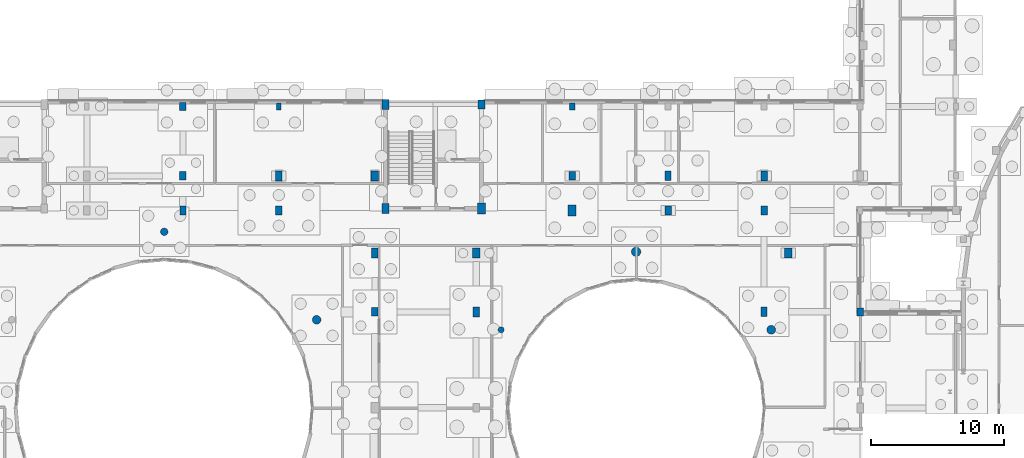
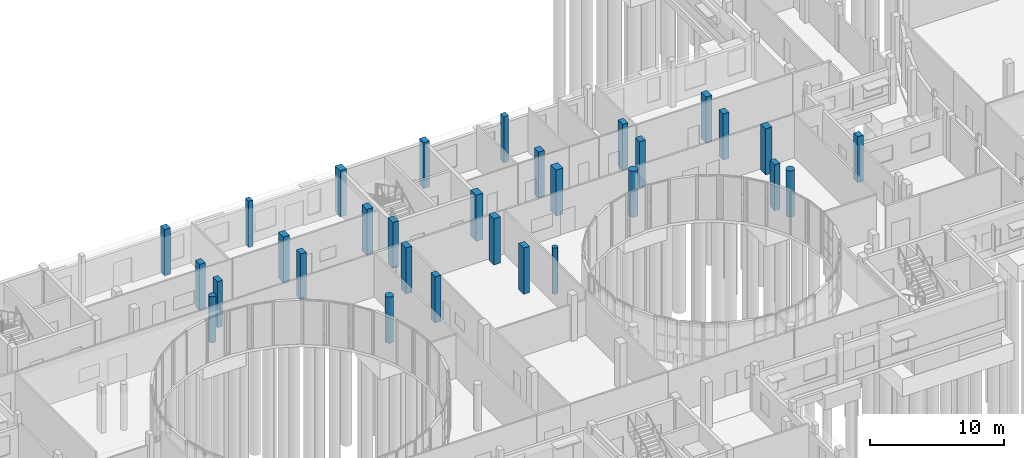
# One storey, part 20 of 93: 30 columns.
"""IFC4 building model written with IfcOpenShell, lengths in metres."""

from ifc_helpers import new_model, si_unit, direction, frame, origin, origin_2d, place, context, subcontext, project, spatial, rectangle, circle, extrude, material, material_profile, profile_set, type_object, element, save


model = new_model("IFC4")

# Units and contexts
model_context = context("Model", 3, precision=1e-05, world=origin(), true_north=direction((0.0, 1.0)))
body_context = subcontext(model_context, "Body", "Model", "MODEL_VIEW")
ifc_project = project(units=[si_unit("LENGTHUNIT", "METRE"), si_unit("AREAUNIT", "SQUARE_METRE"), si_unit("VOLUMEUNIT", "CUBIC_METRE"), si_unit("PLANEANGLEUNIT", "RADIAN"), si_unit("MASSUNIT", "GRAM", prefix="KILO")], contexts=[model_context])

# Site, building, storey
site_placement = place(None, origin())
site = spatial("IfcSite", under=ifc_project, at=site_placement, CompositionType="ELEMENT")
building_placement = place(site_placement, origin())
building = spatial("IfcBuilding", under=site, at=building_placement, Name="Kelanivale Promenade Academy", CompositionType="ELEMENT")
storey_placement = place(building_placement, origin())
storey = spatial("IfcBuildingStorey", under=building, at=storey_placement, Name="L00", CompositionType="ELEMENT", Elevation=0.0)

# Columns
ifc_material = material(Name="Concrete C40/50", Category="concrete")
ifc_material_profile_1 = material_profile(ifc_material, rectangle(XDim=0.449951171875, YDim=0.699951171875, at=origin_2d()), Name="RC-COL 450x700")
ifc_profile_set_1 = profile_set([ifc_material_profile_1], Name="Concrete C40/50")
column_type_1 = type_object("IfcColumnType", Name="C-10 RC-COL 450x700", PredefinedType="COLUMN", material=ifc_profile_set_1)
for number, where, z_axis, x_axis, name in (
    (1, (64.800048828125, 71.60009765625, 0.0), (0.0, 0.0, 1.0), (1.0, 0.0, 0.0), "Column C-10 at (64.8, 71.6) L00"),
    (2, (101.199951171875, 74.199951171875, 0.0), (0.0, 0.0, 1.0), (1.0, 0.0, 0.0), "Column C-10 at (101.2, 74.2) L00"),
    (3, (108.39990234375, 64.0, 0.0), (0.0, 0.0, 1.0), (1.0, 0.0, 0.0), "Column C-10 at (108.4, 64.0) L00"),
):
    element("IfcColumn", number, at=place(storey_placement, frame(where, z_axis=z_axis, x_axis=x_axis)), inside=storey, type_object=column_type_1, Name=name, PredefinedType="COLUMN", context=body_context, shape_type="SweptSolid", body=[
        extrude(rectangle(XDim=0.449951171875, YDim=0.699951171875, at=origin_2d()), origin(), (0.0, 0.0, 1.0), 4.199951171875),
    ])
ifc_material_profile_2 = material_profile(ifc_material, rectangle(XDim=0.5, YDim=0.64990234375, at=origin_2d()), Name="RC-COL 500x650")
ifc_profile_set_2 = profile_set([ifc_material_profile_2], Name="Concrete C40/50")
column_type_2 = type_object("IfcColumnType", Name="C-11 RC-COL 500x650", PredefinedType="COLUMN", material=ifc_profile_set_2)
for number, where, z_axis, x_axis, name in (
    (4, (64.800048828125, 74.199951171875, 0.0), (0.0, 0.0, 1.0), (1.0, 0.0, 0.0), "Column C-11 at (64.8, 74.2) L00"),
    (5, (72.0, 71.60009765625, 0.0), (0.0, 0.0, 1.0), (1.0, 0.0, 0.0), "Column C-11 at (72.0, 71.6) L00"),
    (6, (79.199951171875, 64.0, 0.0), (0.0, 0.0, 1.0), (1.0, 0.0, 0.0), "Column C-11 at (79.2, 64.0) L00"),
    (7, (87.199951171875, 79.550048828125, 0.0), (0.0, 0.0, 1.0), (1.0, 0.0, 0.0), "Column C-11 at (87.2, 79.5) L00"),
    (8, (94.0, 74.199951171875, 0.0), (0.0, 0.0, 1.0), (1.0, 0.0, 0.0), "Column C-11 at (94.0, 74.2) L00"),
    (9, (101.199951171875, 71.60009765625, 0.0), (0.0, 0.0, 1.0), (1.0, 0.0, 0.0), "Column C-11 at (101.2, 71.6) L00"),
    (10, (108.39990234375, 71.60009765625, 0.0), (0.0, 0.0, 1.0), (1.0, 0.0, 0.0), "Column C-11 at (108.4, 71.6) L00"),
):
    element("IfcColumn", number, at=place(storey_placement, frame(where, z_axis=z_axis, x_axis=x_axis)), inside=storey, type_object=column_type_2, Name=name, PredefinedType="COLUMN", context=body_context, shape_type="SweptSolid", body=[
        extrude(rectangle(XDim=0.5, YDim=0.64990234375, at=origin_2d()), origin(), (0.0, 0.0, 1.0), 4.199951171875),
    ])
ifc_material_profile_3 = material_profile(ifc_material, rectangle(XDim=0.5, YDim=0.75, at=origin_2d()), Name="RC-COL 500x750")
ifc_profile_set_3 = profile_set([ifc_material_profile_3], Name="Concrete C40/50")
column_type_3 = type_object("IfcColumnType", Name="C-12 RC-COL 500x750", PredefinedType="COLUMN", material=ifc_profile_set_3)
for number, where, z_axis, x_axis, name in (
    (11, (72.0, 74.199951171875, 0.0), (0.0, 0.0, 1.0), (1.0, 0.0, 0.0), "Column C-12 at (72.0, 74.2) L00"),
    (12, (79.199951171875, 68.39990234375, 0.0), (0.0, 0.0, 1.0), (1.0, 0.0, 0.0), "Column C-12 at (79.2, 68.4) L00"),
    (13, (80.0, 71.75, 0.0), (0.0, 0.0, 1.0), (1.0, 0.0, 0.0), "Column C-12 at (80.0, 71.8) L00"),
    (14, (86.800048828125, 64.0, 0.0), (0.0, 0.0, 1.0), (1.0, 0.0, 0.0), "Column C-12 at (86.8, 64.0) L00"),
    (15, (108.39990234375, 74.199951171875, 0.0), (0.0, 0.0, 1.0), (1.0, 0.0, 0.0), "Column C-12 at (108.4, 74.2) L00"),
):
    element("IfcColumn", number, at=place(storey_placement, frame(where, z_axis=z_axis, x_axis=x_axis)), inside=storey, type_object=column_type_3, Name=name, PredefinedType="COLUMN", context=body_context, shape_type="SweptSolid", body=[
        extrude(rectangle(XDim=0.5, YDim=0.75, at=origin_2d()), origin(), (0.0, 0.0, 1.0), 4.199951171875),
    ])
ifc_material_profile_4 = material_profile(ifc_material, rectangle(XDim=0.550048828125, YDim=0.75, at=origin_2d()), Name="RC-COL 550x750")
ifc_profile_set_4 = profile_set([ifc_material_profile_4], Name="Concrete C40/50")
column_type_4 = type_object("IfcColumnType", Name="C-13 RC-COL 550x750", PredefinedType="COLUMN", material=ifc_profile_set_4)
for number, where, z_axis, x_axis, name in (
    (16, (79.199951171875, 74.199951171875, 0.0), (0.0, 0.0, 1.0), (1.0, 0.0, 0.0), "Column C-13 at (79.2, 74.2) L00"),
    (17, (80.0, 79.550048828125, 0.0), (0.0, 0.0, 1.0), (1.0, 0.0, 0.0), "Column C-13 at (80.0, 79.5) L00"),
    (18, (86.800048828125, 68.39990234375, 0.0), (0.0, 0.0, 1.0), (1.0, 0.0, 0.0), "Column C-13 at (86.8, 68.4) L00"),
    (19, (110.199951171875, 68.39990234375, 0.0), (0.0, 0.0, 1.0), (1.0, 0.0, 0.0), "Column C-13 at (110.2, 68.4) L00"),
):
    element("IfcColumn", number, at=place(storey_placement, frame(where, z_axis=z_axis, x_axis=x_axis)), inside=storey, type_object=column_type_4, Name=name, PredefinedType="COLUMN", context=body_context, shape_type="SweptSolid", body=[
        extrude(rectangle(XDim=0.550048828125, YDim=0.75, at=origin_2d()), origin(), (0.0, 0.0, 1.0), 4.199951171875),
    ])
ifc_material_profile_5 = material_profile(ifc_material, rectangle(XDim=0.60009765625, YDim=0.800048828125, at=origin_2d()), Name="RC-COL 600x800")
ifc_profile_set_5 = profile_set([ifc_material_profile_5], Name="Concrete C40/50")
column_type_5 = type_object("IfcColumnType", Name="C-14 RC-COL 600x800", PredefinedType="COLUMN", material=ifc_profile_set_5)
for number, where, z_axis, x_axis, name in (
    (20, (87.199951171875, 71.75, 0.0), (0.0, 0.0, 1.0), (1.0, 0.0, 0.0), "Column C-14 at (87.2, 71.8) L00"),
    (21, (94.0, 71.60009765625, 0.0), (0.0, 0.0, 1.0), (1.0, 0.0, 0.0), "Column C-14 at (94.0, 71.6) L00"),
):
    element("IfcColumn", number, at=place(storey_placement, frame(where, z_axis=z_axis, x_axis=x_axis)), inside=storey, type_object=column_type_5, Name=name, PredefinedType="COLUMN", context=body_context, shape_type="SweptSolid", body=[
        extrude(rectangle(XDim=0.60009765625, YDim=0.800048828125, at=origin_2d()), origin(), (0.0, 0.0, 1.0), 4.199951171875),
    ])
ifc_material_profile_6 = material_profile(ifc_material, circle(Radius=0.22509765625, at=origin_2d()), Name="RC-COL D450")
ifc_profile_set_6 = profile_set([ifc_material_profile_6], Name="Concrete C40/50")
column_type_6 = type_object("IfcColumnType", Name="CC-19 RC-COL D450", PredefinedType="COLUMN", material=ifc_profile_set_6)
column_1_placement = place(storey_placement, frame((88.66796875, 62.64990234375, 0.0), z_axis=(0.0, 0.0, 1.0), x_axis=(1.0, 0.0, 0.0)))
element("IfcColumn", 22, at=column_1_placement, inside=storey, type_object=column_type_6, Name="Column CC-19 at (88.7, 62.6) L00", PredefinedType="COLUMN", context=body_context, shape_type="SweptSolid", body=[
    extrude(circle(Radius=0.22509765625, at=origin_2d()), origin(), (0.0, 0.0, 1.0), 4.199951171875),
])
ifc_material_profile_7 = material_profile(ifc_material, circle(Radius=0.27490234375, at=origin_2d()), Name="RC-COL D550")
ifc_profile_set_7 = profile_set([ifc_material_profile_7], Name="Concrete C40/50")
column_type_7 = type_object("IfcColumnType", Name="CC-21 RC-COL D550", PredefinedType="COLUMN", material=ifc_profile_set_7)
column_2_placement = place(storey_placement, frame((63.39990234375, 70.0, 0.0), z_axis=(0.0, 0.0, 1.0), x_axis=(1.0, 0.0, 0.0)))
element("IfcColumn", 23, at=column_2_placement, inside=storey, type_object=column_type_7, Name="Column CC-21 at (63.4, 70.0) L00", PredefinedType="COLUMN", context=body_context, shape_type="SweptSolid", body=[
    extrude(circle(Radius=0.27490234375, at=origin_2d()), origin(), (0.0, 0.0, 1.0), 4.199951171875),
])
ifc_material_profile_8 = material_profile(ifc_material, circle(Radius=0.324951171875, at=origin_2d()), Name="RC-COL D650")
ifc_profile_set_8 = profile_set([ifc_material_profile_8], Name="Concrete C40/50")
column_type_8 = type_object("IfcColumnType", Name="CC-23 RC-COL D650", PredefinedType="COLUMN", material=ifc_profile_set_8)
for number, where, z_axis, x_axis, name in (
    (24, (74.83203125, 63.39990234375, 0.0), (0.0, 0.0, 1.0), (1.0, 0.0, 0.0), "Column CC-23 at (74.8, 63.4) L00"),
    (25, (108.931884765625, 62.64990234375, 0.0), (0.0, 0.0, 1.0), (1.0, 0.0, 0.0), "Column CC-23 at (108.9, 62.6) L00"),
):
    element("IfcColumn", number, at=place(storey_placement, frame(where, z_axis=z_axis, x_axis=x_axis)), inside=storey, type_object=column_type_8, Name=name, PredefinedType="COLUMN", context=body_context, shape_type="SweptSolid", body=[
        extrude(circle(Radius=0.324951171875, at=origin_2d()), origin(), (0.0, 0.0, 1.0), 4.199951171875),
    ])
ifc_material_profile_9 = material_profile(ifc_material, circle(Radius=0.35009765625, at=origin_2d()), Name="RC-COL D700")
ifc_profile_set_9 = profile_set([ifc_material_profile_9], Name="Concrete C40/50")
column_type_9 = type_object("IfcColumnType", Name="CC-24 RC-COL D700", PredefinedType="COLUMN", material=ifc_profile_set_9)
column_3_placement = place(storey_placement, frame((98.800048828125, 68.5, 0.0), z_axis=(0.0, 0.0, 1.0), x_axis=(1.0, 0.0, 0.0)))
element("IfcColumn", 26, at=column_3_placement, inside=storey, type_object=column_type_9, Name="Column CC-24 at (98.8, 68.5) L00", PredefinedType="COLUMN", context=body_context, shape_type="SweptSolid", body=[
    extrude(circle(Radius=0.35009765625, at=origin_2d()), origin(), (0.0, 0.0, 1.0), 4.199951171875),
])
ifc_material_profile_10 = material_profile(ifc_material, rectangle(XDim=0.35009765625, YDim=0.5, at=origin_2d()), Name="RC-PIL 350x500")
ifc_profile_set_10 = profile_set([ifc_material_profile_10], Name="Concrete C40/50")
column_type_10 = type_object("IfcColumnType", Name="PL-15 RC-PIL 350x500", PredefinedType="PILASTER", material=ifc_profile_set_10)
column_4_placement = place(storey_placement, frame((72.0, 79.39990234375, 0.0), z_axis=(0.0, 0.0, 1.0), x_axis=(1.0, 0.0, 0.0)))
element("IfcColumn", 27, at=column_4_placement, inside=storey, type_object=column_type_10, Name="Column PL-15 at (72.0, 79.4) L00", PredefinedType="PILASTER", context=body_context, shape_type="SweptSolid", body=[
    extrude(rectangle(XDim=0.35009765625, YDim=0.5, at=origin_2d()), origin(), (0.0, 0.0, 1.0), 4.199951171875),
])
ifc_material_profile_11 = material_profile(ifc_material, rectangle(XDim=0.39990234375, YDim=0.5, at=origin_2d()), Name="RC-PIL 400x500")
ifc_profile_set_11 = profile_set([ifc_material_profile_11], Name="Concrete C40/50")
column_type_11 = type_object("IfcColumnType", Name="PL-16 RC-PIL 400x500", PredefinedType="PILASTER", material=ifc_profile_set_11)
column_5_placement = place(storey_placement, frame((94.0, 79.39990234375, 0.0), z_axis=(0.0, 0.0, 1.0), x_axis=(1.0, 0.0, 0.0)))
element("IfcColumn", 28, at=column_5_placement, inside=storey, type_object=column_type_11, Name="Column PL-16 at (94.0, 79.4) L00", PredefinedType="PILASTER", context=body_context, shape_type="SweptSolid", body=[
    extrude(rectangle(XDim=0.39990234375, YDim=0.5, at=origin_2d()), origin(), (0.0, 0.0, 1.0), 4.199951171875),
])
ifc_material_profile_12 = material_profile(ifc_material, rectangle(XDim=0.5, YDim=0.60009765625, at=origin_2d()), Name="RC-PIL 500x600")
ifc_profile_set_12 = profile_set([ifc_material_profile_12], Name="Concrete C40/50")
column_type_12 = type_object("IfcColumnType", Name="PL-18 RC-PIL 500x600", PredefinedType="PILASTER", material=ifc_profile_set_12)
for number, where, z_axis, x_axis, name in (
    (29, (64.800048828125, 79.39990234375, 0.0), (0.0, 0.0, 1.0), (1.0, 0.0, 0.0), "Column PL-18 at (64.8, 79.4) L00"),
    (30, (115.60009765625, 64.0, 0.0), (0.0, 0.0, 1.0), (1.0, 0.0, 0.0), "Column PL-18 at (115.6, 64.0) L00"),
):
    element("IfcColumn", number, at=place(storey_placement, frame(where, z_axis=z_axis, x_axis=x_axis)), inside=storey, type_object=column_type_12, Name=name, PredefinedType="PILASTER", context=body_context, shape_type="SweptSolid", body=[
        extrude(rectangle(XDim=0.5, YDim=0.60009765625, at=origin_2d()), origin(), (0.0, 0.0, 1.0), 4.199951171875),
    ])

save(model, "model.ifc")
